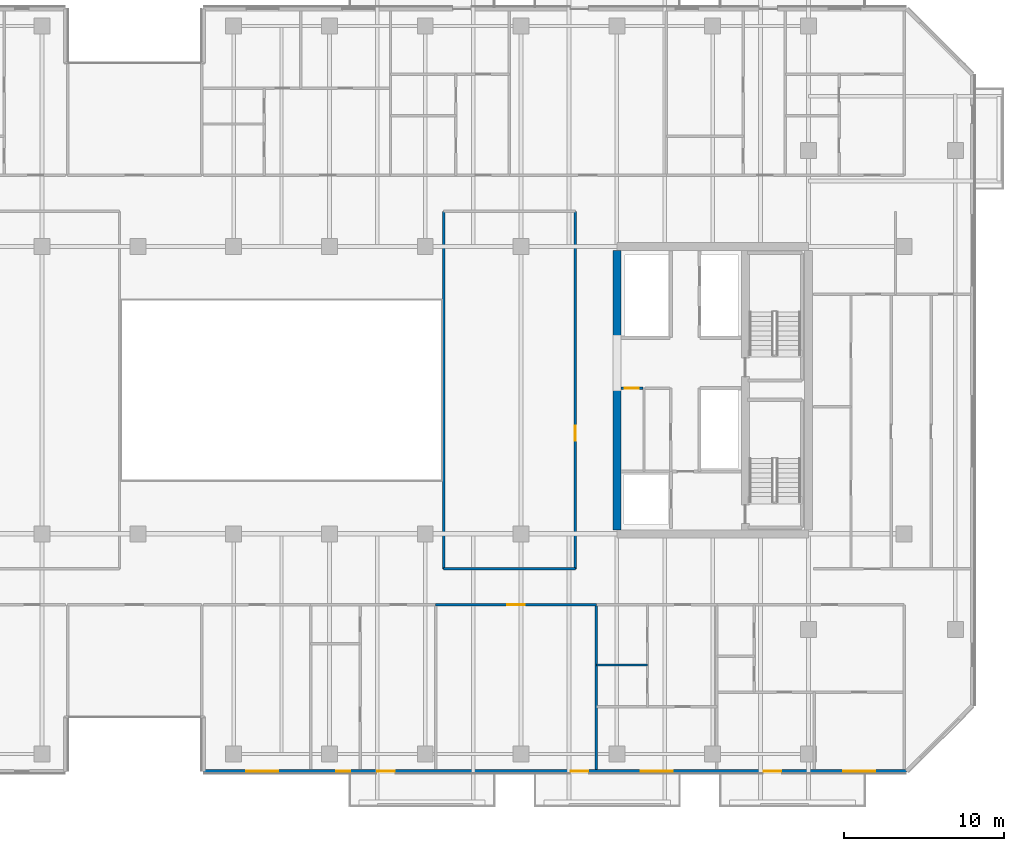
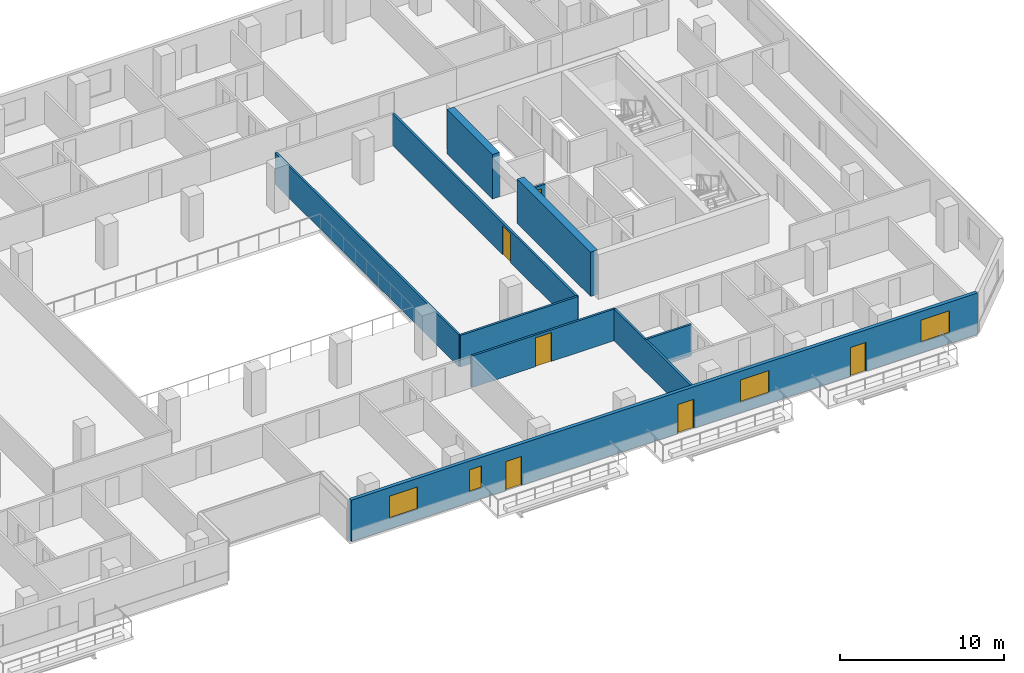
# One storey, part 12 of 23: 10 walls, 6 doors, 4 windows, 10 openings.
"""IFC4 building model written with IfcOpenShell, lengths in metres."""

from ifc_helpers import new_model, si_unit, direction, frame, frame_2d, origin, place, context, subcontext, project, spatial, rectangle, extrude, material, layer, layer_set, type_object, element, fill, save


model = new_model("IFC4")

# Units and contexts
model_context = context("Model", 3, precision=1e-05, world=origin(), true_north=direction((0.0, 1.0)))
body_context = subcontext(model_context, "Body", "Model", "MODEL_VIEW")
ifc_project = project(units=[si_unit("LENGTHUNIT", "METRE"), si_unit("AREAUNIT", "SQUARE_METRE"), si_unit("VOLUMEUNIT", "CUBIC_METRE"), si_unit("PLANEANGLEUNIT", "RADIAN"), si_unit("MASSUNIT", "GRAM", prefix="KILO")], contexts=[model_context])

# Site, building, storey
site_placement = place(None, origin())
site = spatial("IfcSite", under=ifc_project, at=site_placement, CompositionType="ELEMENT")
building_placement = place(site_placement, origin())
building = spatial("IfcBuilding", under=site, at=building_placement, Name="Tanjung Sevakor Pilgrim Tower", CompositionType="ELEMENT")
storey_placement = place(building_placement, frame((0.0, 0.0, 82.169921875)))
storey = spatial("IfcBuildingStorey", under=building, at=storey_placement, Name="L22", CompositionType="ELEMENT", Elevation=82.169921875)

# Walls
ifc_material_1 = material(Name="Concrete C60/75", Category="concrete")
ifc_layer_1 = layer(ifc_material_1, 0.5)
ifc_layer_set_1 = layer_set([ifc_layer_1], Name="WALL-CW-500")
wall_type_1 = type_object("IfcWallType", Name="WALL-CW-500", PredefinedType="SHEAR", material=ifc_layer_set_1)
wall_1_placement = place(storey_placement, frame((78.0, 24.85009765625, 0.0), z_axis=(0.0, 0.0, 1.0), x_axis=(0.0, 1.0, 0.0)))
element("IfcWall", 1, at=wall_1_placement, inside=storey, type_object=wall_type_1, Name="L22 E Core Inner Shear Wall South", PredefinedType="SHEAR", context=body_context, shape_type="SweptSolid", body=[
    extrude(rectangle(XDim=8.949951171875, YDim=0.5, at=frame_2d((4.47509765625, 0.0))), origin(), (0.0, 0.0, 1.0), 3.300048828125),
])
wall_2_placement = place(storey_placement, frame((78.0, 36.800048828125, 0.0), z_axis=(0.0, 0.0, 1.0), x_axis=(0.0, 1.0, 0.0)))
element("IfcWall", 2, at=wall_2_placement, inside=storey, type_object=wall_type_1, Name="L22 E Core Inner Shear Wall North", PredefinedType="SHEAR", context=body_context, shape_type="SweptSolid", body=[
    extrude(rectangle(XDim=5.550048828125, YDim=0.5, at=frame_2d((2.77490234375, 0.0))), origin(), (0.0, 0.0, 1.0), 3.300048828125),
])

# Wall, opening, door
ifc_material_2 = material(Name="Concrete C40/50", Category="concrete")
ifc_layer_2 = layer(ifc_material_2, 0.14990234375)
ifc_layer_set_2 = layer_set([ifc_layer_2], Name="WT-COMP-150")
wall_type_2 = type_object("IfcWallType", Name="WT-COMP-150", PredefinedType="SOLIDWALL", material=ifc_layer_set_2)
wall_3_placement = place(storey_placement, frame((78.27001953125, 33.719970703125, 0.0), z_axis=(0.0, 0.0, 1.0), x_axis=(1.0, 0.0, 0.0)))
wall_3 = element("IfcWall", 3, at=wall_3_placement, inside=storey, type_object=wall_type_2, Name="L22 Partition IW-L22-019", PredefinedType="SOLIDWALL", context=body_context, shape_type="SweptSolid", body=[
    extrude(rectangle(XDim=1.369873046875, YDim=0.14990234375, at=frame_2d((0.68505859375, 0.0))), origin(), (0.0, 0.0, 1.0), 2.35009765625),
])
opening_1_placement = place(wall_3_placement, frame((0.239990234375, 0.0, 0.0)))
opening_1 = element("IfcOpeningElement", 4, at=opening_1_placement, cuts=wall_3, Name="Opening ID-FD3", PredefinedType="OPENING", context=body_context, shape_type="SweptSolid", body=[
    extrude(rectangle(XDim=0.85009765625, YDim=2.10009765625, at=frame_2d((0.425048828125, 1.050048828125))), frame((0.0, 0.0849609375, 0.0), z_axis=(0.0, -1.0, 0.0), x_axis=(1.0, 0.0, 0.0)), (0.0, 0.0, 1.0), 0.169921875),
])
ifc_material_3 = material(Name="Fire-Rated Timber", Category="wood")
door_type_1 = type_object("IfcDoorType", Name="DT-FIRE-850", OperationType="NOTDEFINED", PredefinedType="DOOR", material=ifc_material_3)
door_1_placement = place(opening_1_placement, origin())
door_1 = element("IfcDoor", 5, at=door_1_placement, inside=storey, type_object=door_type_1, Name="L22 Service Store Door", OperationType="SINGLE_SWING_LEFT", OverallHeight=2.10009765625, OverallWidth=0.85009765625, PredefinedType="DOOR", context=body_context, shape_type="SweptSolid", body=[
    extrude(rectangle(XDim=0.85009765625, YDim=2.10009765625, at=frame_2d((0.425048828125, 1.050048828125))), frame((0.0, 0.02490234375, 0.0), z_axis=(0.0, -1.0, 0.0), x_axis=(1.0, 0.0, 0.0)), (0.0, 0.0, 1.0), 0.050048828125),
])
fill(opening_1, door_1)

# Walls
wall_4_placement = place(storey_placement, frame((67.14990234375, 22.39990234375, 0.0), z_axis=(0.0, 0.0, 1.0), x_axis=(1.0, 0.0, 0.0)))
element("IfcWall", 6, at=wall_4_placement, inside=storey, type_object=wall_type_2, Name="L22 Partition IW-L22-029", PredefinedType="SOLIDWALL", context=body_context, shape_type="SweptSolid", body=[
    extrude(rectangle(XDim=8.25, YDim=0.14990234375, at=frame_2d((4.125, 0.0))), origin(), (0.0, 0.0, 1.0), 2.35009765625),
])
wall_5_placement = place(storey_placement, frame((67.14990234375, 22.39990234375, 0.0), z_axis=(0.0, 0.0, 1.0), x_axis=(0.0, 1.0, 0.0)))
element("IfcWall", 7, at=wall_5_placement, inside=storey, type_object=wall_type_2, Name="L22 Partition IW-L22-031", PredefinedType="SOLIDWALL", context=body_context, shape_type="SweptSolid", body=[
    extrude(rectangle(XDim=22.400146484375, YDim=0.14990234375, at=frame_2d((11.2001953125, 0.0))), origin(), (0.0, 0.0, 1.0), 2.35009765625),
])

# Wall, opening, door
wall_6_placement = place(storey_placement, frame((75.39990234375, 22.39990234375, 0.0), z_axis=(0.0, 0.0, 1.0), x_axis=(0.0, 1.0, 0.0)))
wall_6 = element("IfcWall", 8, at=wall_6_placement, inside=storey, type_object=wall_type_2, Name="L22 Partition IW-L22-032", PredefinedType="SOLIDWALL", context=body_context, shape_type="SweptSolid", body=[
    extrude(rectangle(XDim=22.400146484375, YDim=0.14990234375, at=frame_2d((11.2001953125, 0.0))), origin(), (0.0, 0.0, 1.0), 2.35009765625),
])
opening_2_placement = place(wall_6_placement, frame((8.02490234375, 0.0, 0.0)))
opening_2 = element("IfcOpeningElement", 9, at=opening_2_placement, cuts=wall_6, Name="Opening ID-RM1", PredefinedType="OPENING", context=body_context, shape_type="SweptSolid", body=[
    extrude(rectangle(XDim=0.949951171875, YDim=2.14990234375, at=frame_2d((0.47509765625, 1.074951171875))), frame((0.0, 0.0849609375, 0.0), z_axis=(0.0, -1.0, 0.0), x_axis=(1.0, 0.0, 0.0)), (0.0, 0.0, 1.0), 0.169921875),
])
ifc_material_4 = material(Name="Hardwood Timber", Category="wood")
door_type_2 = type_object("IfcDoorType", Name="DT-INT-950", OperationType="NOTDEFINED", PredefinedType="DOOR", material=ifc_material_4)
door_2_placement = place(opening_2_placement, origin())
door_2 = element("IfcDoor", 10, at=door_2_placement, inside=storey, type_object=door_type_2, Name="L22 Central East Room Door", OperationType="SINGLE_SWING_RIGHT", OverallHeight=2.14990234375, OverallWidth=0.949951171875, PredefinedType="DOOR", context=body_context, shape_type="SweptSolid", body=[
    extrude(rectangle(XDim=0.949951171875, YDim=2.14990234375, at=frame_2d((0.47509765625, 1.074951171875))), frame((0.0, 0.02490234375, 0.0), z_axis=(0.0, -1.0, 0.0), x_axis=(1.0, 0.0, 0.0)), (0.0, 0.0, 1.0), 0.050048828125),
])
fill(opening_2, door_2)

# Wall
wall_7_placement = place(storey_placement, frame((76.715087890625, 9.85009765625, 0.0), z_axis=(0.0, 0.0, 1.0), x_axis=(0.0, 1.0, 0.0)))
element("IfcWall", 11, at=wall_7_placement, inside=storey, type_object=wall_type_2, Name="L22 Partition IW-L22-067", PredefinedType="SOLIDWALL", context=body_context, shape_type="SweptSolid", body=[
    extrude(rectangle(XDim=10.2998046875, YDim=0.14990234375, at=frame_2d((5.14990234375, 0.0))), origin(), (0.0, 0.0, 1.0), 2.35009765625),
])

# Wall, opening, door
wall_8_placement = place(storey_placement, frame((66.653564453125, 20.14990234375, 0.0), z_axis=(0.0, 0.0, 1.0), x_axis=(1.0, 0.0, 0.0)))
wall_8 = element("IfcWall", 12, at=wall_8_placement, inside=storey, type_object=wall_type_2, Name="L22 Partition IW-L22-068", PredefinedType="SOLIDWALL", context=body_context, shape_type="SweptSolid", body=[
    extrude(rectangle(XDim=10.0615234375, YDim=0.14990234375, at=frame_2d((5.03076171875, 0.0))), origin(), (0.0, 0.0, 1.0), 2.35009765625),
])
opening_3_placement = place(wall_8_placement, frame((4.48095703125, 0.0, 0.0)))
opening_3 = element("IfcOpeningElement", 13, at=opening_3_placement, cuts=wall_8, Name="Opening ID-FD0", PredefinedType="OPENING", context=body_context, shape_type="SweptSolid", body=[
    extrude(rectangle(XDim=1.10009765625, YDim=2.14990234375, at=frame_2d((0.550048828125, 1.074951171875))), frame((0.0, 0.0849609375, 0.0), z_axis=(0.0, -1.0, 0.0), x_axis=(1.0, 0.0, 0.0)), (0.0, 0.0, 1.0), 0.169921875),
])
ifc_material_5 = material(Name="Fire-Rated Steel S355J2", Category="steel")
door_type_3 = type_object("IfcDoorType", Name="DT-FIRE-1100", OperationType="NOTDEFINED", PredefinedType="DOOR", material=ifc_material_5)
door_3_placement = place(opening_3_placement, origin())
door_3 = element("IfcDoor", 14, at=door_3_placement, inside=storey, type_object=door_type_3, Name="Seminar Room Door", OperationType="SINGLE_SWING_RIGHT", OverallHeight=2.14990234375, OverallWidth=1.10009765625, PredefinedType="DOOR", context=body_context, shape_type="SweptSolid", body=[
    extrude(rectangle(XDim=1.10009765625, YDim=2.14990234375, at=frame_2d((0.550048828125, 1.074951171875))), frame((0.0, 0.02490234375, 0.0), z_axis=(0.0, -1.0, 0.0), x_axis=(1.0, 0.0, 0.0)), (0.0, 0.0, 1.0), 0.050048828125),
])
fill(opening_3, door_3)

# Wall, openings, doors, windows
ifc_material_6 = material(Name="Precast concrete C45/55", Category="concrete")
ifc_layer_3 = layer(ifc_material_6, 0.25)
ifc_layer_set_3 = layer_set([ifc_layer_3], Name="WT-EW-STN3")
wall_type_3 = type_object("IfcWallType", Name="WT-EW-STN3", PredefinedType="SOLIDWALL", material=ifc_layer_set_3)
wall_9_placement = place(storey_placement, frame((52.125, 9.72509765625, 0.0), z_axis=(0.0, 0.0, 1.0), x_axis=(1.0, 0.0, 0.0)))
wall_9 = element("IfcWall", 15, at=wall_9_placement, inside=storey, type_object=wall_type_3, Name="L22 MAIN Exterior Wall 5", PredefinedType="SOLIDWALL", context=body_context, shape_type="SweptSolid", body=[
    extrude(rectangle(XDim=44.023193359375, YDim=0.25, at=frame_2d((22.01171875, 0.0))), origin(), (0.0, 0.0, 1.0), 3.080078125),
])
opening_4_placement = place(wall_9_placement, frame((10.875, 0.0, 0.0)))
opening_4 = element("IfcOpeningElement", 16, at=opening_4_placement, cuts=wall_9, Name="Opening ED-BAL-1100", PredefinedType="OPENING", context=body_context, shape_type="SweptSolid", body=[
    extrude(rectangle(XDim=1.10009765625, YDim=2.14990234375, at=frame_2d((0.550048828125, 1.074951171875))), frame((0.0, 0.135009765625, 0.0), z_axis=(0.0, -1.0, 0.0), x_axis=(1.0, 0.0, 0.0)), (0.0, 0.0, 1.0), 0.27001953125),
])
opening_5_placement = place(wall_9_placement, frame((22.97509765625, 0.0, 0.0)))
opening_5 = element("IfcOpeningElement", 17, at=opening_5_placement, cuts=wall_9, Name="Opening ED-BAL-1100", PredefinedType="OPENING", context=body_context, shape_type="SweptSolid", body=[
    extrude(rectangle(XDim=1.10009765625, YDim=2.14990234375, at=frame_2d((0.550048828125, 1.074951171875))), frame((0.0, 0.135009765625, 0.0), z_axis=(0.0, -1.0, 0.0), x_axis=(1.0, 0.0, 0.0)), (0.0, 0.0, 1.0), 0.27001953125),
])
opening_6_placement = place(wall_9_placement, frame((35.074951171875, 0.0, 0.0)))
opening_6 = element("IfcOpeningElement", 18, at=opening_6_placement, cuts=wall_9, Name="Opening ED-BAL-1100", PredefinedType="OPENING", context=body_context, shape_type="SweptSolid", body=[
    extrude(rectangle(XDim=1.10009765625, YDim=2.14990234375, at=frame_2d((0.550048828125, 1.074951171875))), frame((0.0, 0.135009765625, 0.0), z_axis=(0.0, -1.0, 0.0), x_axis=(1.0, 0.0, 0.0)), (0.0, 0.0, 1.0), 0.27001953125),
])
opening_7_placement = place(wall_9_placement, frame((2.6689453125, 0.0, 0.780029296875)))
opening_7 = element("IfcOpeningElement", 19, at=opening_7_placement, cuts=wall_9, Name="Opening WN-Z2-1660", PredefinedType="OPENING", context=body_context, shape_type="SweptSolid", body=[
    extrude(rectangle(XDim=2.0, YDim=1.659912109375, at=frame_2d((1.0, 0.830078125))), frame((0.0, 0.135009765625, 0.0), z_axis=(0.0, -1.0, 0.0), x_axis=(1.0, 0.0, 0.0)), (0.0, 0.0, 1.0), 0.27001953125),
])
opening_8_placement = place(wall_9_placement, frame((8.31396484375, 0.0, 0.780029296875)))
opening_8 = element("IfcOpeningElement", 20, at=opening_8_placement, cuts=wall_9, Name="Opening WN-SLM", PredefinedType="OPENING", context=body_context, shape_type="SweptSolid", body=[
    extrude(rectangle(XDim=0.85009765625, YDim=1.64990234375, at=frame_2d((0.425048828125, 0.824951171875))), frame((0.0, 0.135009765625, 0.0), z_axis=(0.0, -1.0, 0.0), x_axis=(1.0, 0.0, 0.0)), (0.0, 0.0, 1.0), 0.27001953125),
])
opening_9_placement = place(wall_9_placement, frame((27.36328125, 0.0, 0.780029296875)))
opening_9 = element("IfcOpeningElement", 21, at=opening_9_placement, cuts=wall_9, Name="Opening WN-Z2-1660", PredefinedType="OPENING", context=body_context, shape_type="SweptSolid", body=[
    extrude(rectangle(XDim=2.0, YDim=1.659912109375, at=frame_2d((1.0, 0.830078125))), frame((0.0, 0.135009765625, 0.0), z_axis=(0.0, -1.0, 0.0), x_axis=(1.0, 0.0, 0.0)), (0.0, 0.0, 1.0), 0.27001953125),
])
opening_10_placement = place(wall_9_placement, frame((40.0478515625, 0.0, 0.780029296875)))
opening_10 = element("IfcOpeningElement", 22, at=opening_10_placement, cuts=wall_9, Name="Opening WN-Z2-1660", PredefinedType="OPENING", context=body_context, shape_type="SweptSolid", body=[
    extrude(rectangle(XDim=2.0, YDim=1.659912109375, at=frame_2d((1.0, 0.830078125))), frame((0.0, 0.135009765625, 0.0), z_axis=(0.0, -1.0, 0.0), x_axis=(1.0, 0.0, 0.0)), (0.0, 0.0, 1.0), 0.27001953125),
])
ifc_material_7 = material(Name="Anodised Aluminium and Laminated Glass", Category="aluminium")
door_type_4 = type_object("IfcDoorType", Name="DTYP-ED-BAL-1100", OperationType="NOTDEFINED", PredefinedType="DOOR", material=ifc_material_7)
door_4_placement = place(opening_4_placement, frame((1.10009765625, 0.0, 0.0), z_axis=(0.0, 0.0, 1.0), x_axis=(-1.0, 0.0, 0.0)))
door_4 = element("IfcDoor", 23, at=door_4_placement, inside=storey, type_object=door_type_4, Name="L22 Balcony Door MAIN-S2", OperationType="SINGLE_SWING_LEFT", OverallHeight=2.14990234375, OverallWidth=1.10009765625, PredefinedType="DOOR", context=body_context, shape_type="SweptSolid", body=[
    extrude(rectangle(XDim=1.10009765625, YDim=2.14990234375, at=frame_2d((0.550048828125, 1.074951171875))), frame((0.0, 0.02490234375, 0.0), z_axis=(0.0, -1.0, 0.0), x_axis=(1.0, 0.0, 0.0)), (0.0, 0.0, 1.0), 0.050048828125),
])
fill(opening_4, door_4)
door_5_placement = place(opening_5_placement, frame((1.10009765625, 0.0, 0.0), z_axis=(0.0, 0.0, 1.0), x_axis=(-1.0, 0.0, 0.0)))
door_5 = element("IfcDoor", 24, at=door_5_placement, inside=storey, type_object=door_type_4, Name="L22 Balcony Door MAIN-S3", OperationType="SINGLE_SWING_RIGHT", OverallHeight=2.14990234375, OverallWidth=1.10009765625, PredefinedType="DOOR", context=body_context, shape_type="SweptSolid", body=[
    extrude(rectangle(XDim=1.10009765625, YDim=2.14990234375, at=frame_2d((0.550048828125, 1.074951171875))), frame((0.0, 0.02490234375, 0.0), z_axis=(0.0, -1.0, 0.0), x_axis=(1.0, 0.0, 0.0)), (0.0, 0.0, 1.0), 0.050048828125),
])
fill(opening_5, door_5)
door_6_placement = place(opening_6_placement, frame((1.10009765625, 0.0, 0.0), z_axis=(0.0, 0.0, 1.0), x_axis=(-1.0, 0.0, 0.0)))
door_6 = element("IfcDoor", 25, at=door_6_placement, inside=storey, type_object=door_type_4, Name="L22 Balcony Door MAIN-S4", OperationType="SINGLE_SWING_LEFT", OverallHeight=2.14990234375, OverallWidth=1.10009765625, PredefinedType="DOOR", context=body_context, shape_type="SweptSolid", body=[
    extrude(rectangle(XDim=1.10009765625, YDim=2.14990234375, at=frame_2d((0.550048828125, 1.074951171875))), frame((0.0, 0.02490234375, 0.0), z_axis=(0.0, -1.0, 0.0), x_axis=(1.0, 0.0, 0.0)), (0.0, 0.0, 1.0), 0.050048828125),
])
fill(opening_6, door_6)
ifc_material_8 = material(Name="Thermally Broken Aluminium and Low-E Glass", Category="aluminium")
window_type_1 = type_object("IfcWindowType", Name="WTYP-WN-SLM", PartitioningType="SINGLE_PANEL", PredefinedType="WINDOW", material=ifc_material_8)
window_1_placement = place(opening_8_placement, origin())
window_1 = element("IfcWindow", 26, at=window_1_placement, inside=storey, type_object=window_type_1, Name="L22 Facade Window 02", OverallHeight=1.64990234375, OverallWidth=0.85009765625, PartitioningType="SINGLE_PANEL", PredefinedType="WINDOW", context=body_context, shape_type="SweptSolid", body=[
    extrude(rectangle(XDim=0.85009765625, YDim=1.64990234375, at=frame_2d((0.425048828125, 0.824951171875))), frame((0.0, 0.030029296875, 0.0), z_axis=(0.0, -1.0, 0.0), x_axis=(1.0, 0.0, 0.0)), (0.0, 0.0, 1.0), 0.06005859375),
])
fill(opening_8, window_1)
ifc_material_9 = material(Name="Thermally Broken Aluminium and Low-E Glass", Category="aluminium")
window_type_2 = type_object("IfcWindowType", Name="WTYP-WN-Z2-1660", PartitioningType="DOUBLE_PANEL_VERTICAL", PredefinedType="WINDOW", material=ifc_material_9)
window_2_placement = place(opening_7_placement, origin())
window_2 = element("IfcWindow", 27, at=window_2_placement, inside=storey, type_object=window_type_2, Name="L22 Facade Window 01", OverallHeight=1.659912109375, OverallWidth=2.0, PartitioningType="SINGLE_PANEL", PredefinedType="WINDOW", context=body_context, shape_type="SweptSolid", body=[
    extrude(rectangle(XDim=2.0, YDim=1.659912109375, at=frame_2d((1.0, 0.830078125))), frame((0.0, 0.030029296875, 0.0), z_axis=(0.0, -1.0, 0.0), x_axis=(1.0, 0.0, 0.0)), (0.0, 0.0, 1.0), 0.06005859375),
])
fill(opening_7, window_2)
window_3_placement = place(opening_9_placement, origin())
window_3 = element("IfcWindow", 28, at=window_3_placement, inside=storey, type_object=window_type_2, Name="L22 Facade Window 03", OverallHeight=1.659912109375, OverallWidth=2.0, PartitioningType="SINGLE_PANEL", PredefinedType="WINDOW", context=body_context, shape_type="SweptSolid", body=[
    extrude(rectangle(XDim=2.0, YDim=1.659912109375, at=frame_2d((1.0, 0.830078125))), frame((0.0, 0.030029296875, 0.0), z_axis=(0.0, -1.0, 0.0), x_axis=(1.0, 0.0, 0.0)), (0.0, 0.0, 1.0), 0.06005859375),
])
fill(opening_9, window_3)
window_4_placement = place(opening_10_placement, origin())
window_4 = element("IfcWindow", 29, at=window_4_placement, inside=storey, type_object=window_type_2, Name="L22 Facade Window 04", OverallHeight=1.659912109375, OverallWidth=2.0, PartitioningType="SINGLE_PANEL", PredefinedType="WINDOW", context=body_context, shape_type="SweptSolid", body=[
    extrude(rectangle(XDim=2.0, YDim=1.659912109375, at=frame_2d((1.0, 0.830078125))), frame((0.0, 0.030029296875, 0.0), z_axis=(0.0, -1.0, 0.0), x_axis=(1.0, 0.0, 0.0)), (0.0, 0.0, 1.0), 0.06005859375),
])
fill(opening_10, window_4)

# Wall
ifc_material_10 = material(Name="Gypsum Board Partition", Category="gypsum board")
ifc_layer_4 = layer(ifc_material_10, 0.14990234375)
ifc_layer_set_4 = layer_set([ifc_layer_4], Name="WT-PART-150")
wall_type_4 = type_object("IfcWallType", Name="WT-PART-150", PredefinedType="PARTITIONING", material=ifc_layer_set_4)
wall_10_placement = place(storey_placement, frame((76.715087890625, 16.37939453125, 0.0), z_axis=(0.0, 0.0, 1.0), x_axis=(1.0, 0.0, 0.0)))
element("IfcWall", 30, at=wall_10_placement, inside=storey, type_object=wall_type_4, Name="L22 Partition IW-L22-070", PredefinedType="PARTITIONING", context=body_context, shape_type="SweptSolid", body=[
    extrude(rectangle(XDim=3.204833984375, YDim=0.14990234375, at=frame_2d((1.6025390625, 0.0))), origin(), (0.0, 0.0, 1.0), 2.35009765625),
])

save(model, "model.ifc")
